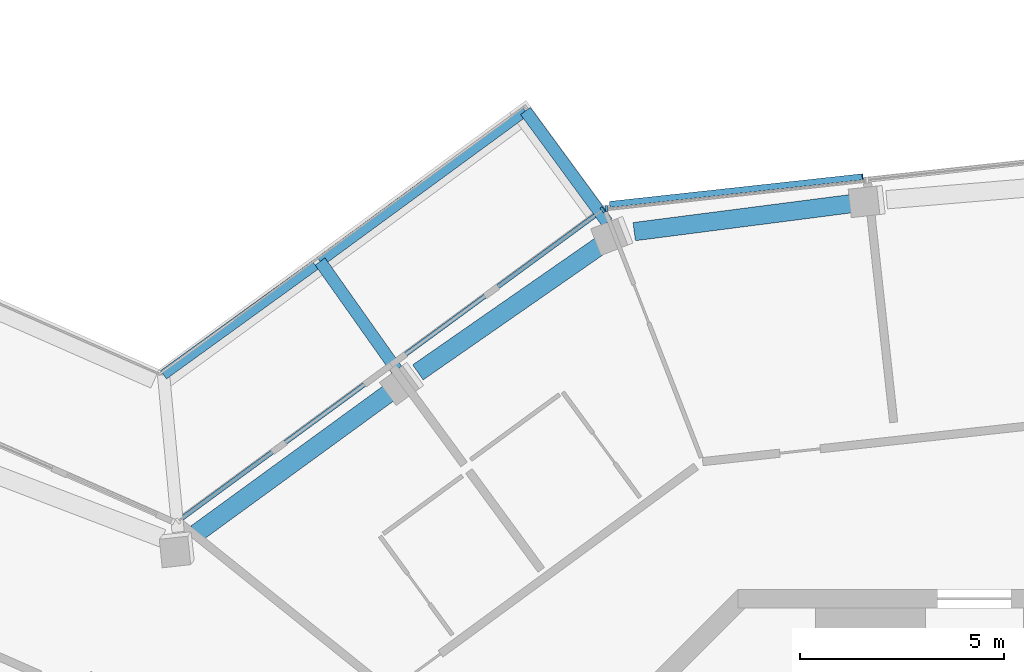
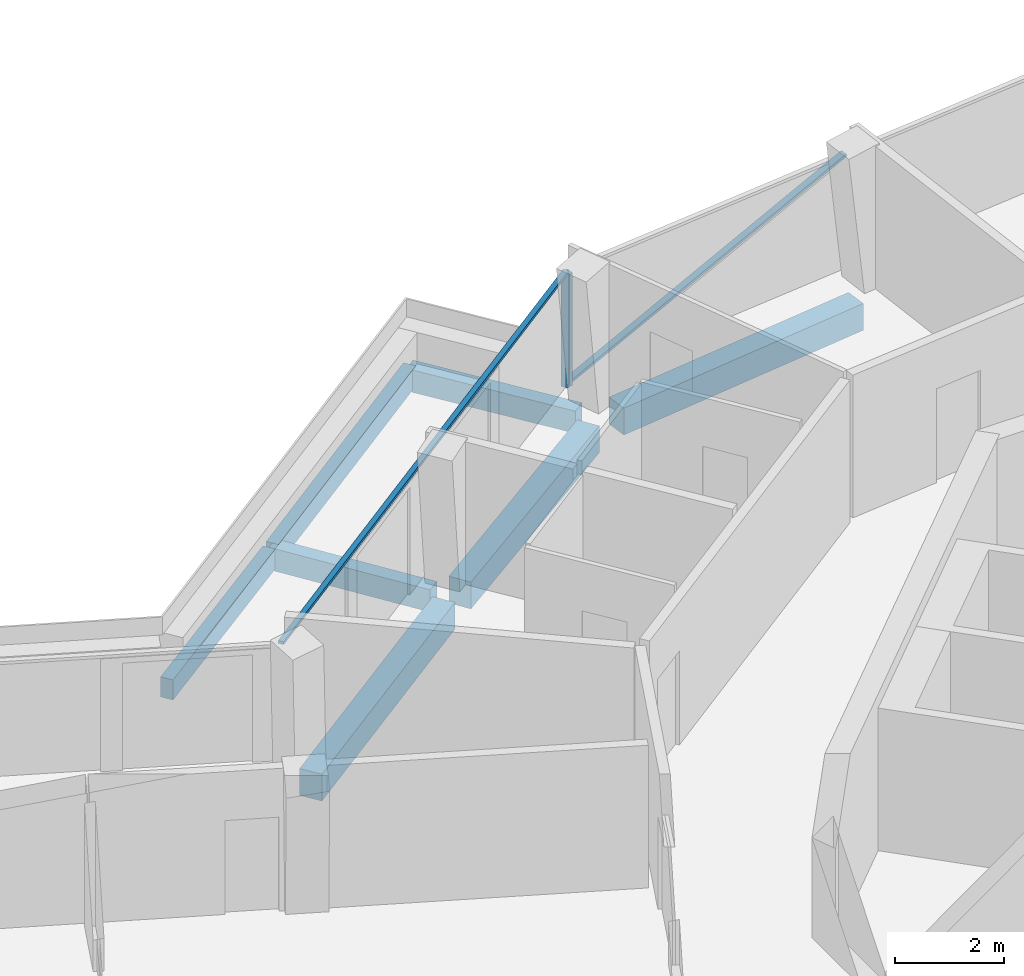
# One storey, part 6 of 24: 7 beams, 4 members, 2 elements without a shape of their own.
"""IFC4 building model written with IfcOpenShell, lengths in metres."""

from ifc_helpers import new_model, si_unit, direction, frame, origin, origin_2d, place, context, subcontext, project, spatial, rectangle, extrude, material, layer, layer_set, material_profile, profile_set, type_object, element, aggregate, save


model = new_model("IFC4")

# Units and contexts
model_context = context("Model", 3, precision=1e-05, world=origin(), true_north=direction((0.0, 1.0)))
body_context = subcontext(model_context, "Body", "Model", "MODEL_VIEW")
ifc_project = project(units=[si_unit("LENGTHUNIT", "METRE"), si_unit("AREAUNIT", "SQUARE_METRE"), si_unit("VOLUMEUNIT", "CUBIC_METRE"), si_unit("PLANEANGLEUNIT", "RADIAN"), si_unit("MASSUNIT", "GRAM", prefix="KILO")], contexts=[model_context])

# Site, building, storey
site_placement = place(None, origin())
site = spatial("IfcSite", under=ifc_project, at=site_placement, CompositionType="ELEMENT")
building_placement = place(site_placement, origin())
building = spatial("IfcBuilding", under=site, at=building_placement, Name="Verdalira Terraces Hotel", CompositionType="ELEMENT")
storey_placement = place(building_placement, frame((0.0, 0.0, 303.0)))
storey = spatial("IfcBuildingStorey", under=building, at=storey_placement, Name="L75", CompositionType="ELEMENT", Elevation=303.0)

# Beams
ifc_material_1 = material(Name="Concrete C40", Category="concrete")
ifc_material_profile_1 = material_profile(ifc_material_1, rectangle(XDim=0.300049, YDim=0.5, at=origin_2d()), Name="RC 300X500")
ifc_profile_set_1 = profile_set([ifc_material_profile_1], Name="Concrete C40")
beam_type_1 = type_object("IfcBeamType", Name="Balcony cantilever beam RC 300X500 C40", PredefinedType="BEAM", material=ifc_profile_set_1)
beam_1_placement = place(storey_placement, frame((-9.002197, 23.000488, -0.560059), z_axis=(-0.591160444, 0.806553984, 0.0), x_axis=(-0.806553984, -0.591160444, 0.0)))
element("IfcBeam", 1, at=beam_1_placement, inside=storey, type_object=beam_type_1, Name="Balcony cantilever beam R41-2", PredefinedType="BEAM", context=body_context, shape_type="SweptSolid", body=[
    extrude(rectangle(XDim=0.300049, YDim=0.5, at=origin_2d()), origin(), (0.0, 0.0, 1.0), 3.385742),
])
beam_2_placement = place(storey_placement, frame((-14.159668, 19.387695, -0.560059), z_axis=(-0.577588023, 0.816328411, 0.0), x_axis=(-0.816328411, -0.577588023, 0.0)))
element("IfcBeam", 2, at=beam_2_placement, inside=storey, type_object=beam_type_1, Name="Balcony cantilever beam R41-3", PredefinedType="BEAM", context=body_context, shape_type="SweptSolid", body=[
    extrude(rectangle(XDim=0.300049, YDim=0.5, at=origin_2d()), origin(), (0.0, 0.0, 1.0), 3.250977),
])
ifc_material_2 = material(Name="Concrete C40", Category="concrete")
ifc_material_profile_2 = material_profile(ifc_material_2, rectangle(XDim=0.25, YDim=0.449951, at=origin_2d()), Name="RC 250X450")
ifc_profile_set_2 = profile_set([ifc_material_profile_2], Name="Concrete C40")
beam_type_2 = type_object("IfcBeamType", Name="Balcony edge beam RC 250X450 C40", PredefinedType="BEAM", material=ifc_profile_set_2)
beam_3_placement = place(storey_placement, frame((-11.003662, 25.731201, -0.534912), z_axis=(-0.806533071, -0.591188976, 0.0), x_axis=(0.591188976, -0.806533071, 0.0)))
element("IfcBeam", 3, at=beam_3_placement, inside=storey, type_object=beam_type_2, Name="Balcony edge beam R41-1", PredefinedType="BEAM", context=body_context, shape_type="SweptSolid", body=[
    extrude(rectangle(XDim=0.25, YDim=0.449951, at=origin_2d()), origin(), (0.0, 0.0, 1.0), 6.241211),
])
beam_4_placement = place(storey_placement, frame((-16.158691, 21.953613, -0.534912), z_axis=(-0.810099061, -0.586293025, 0.0), x_axis=(0.586293025, -0.810099061, 0.0)))
element("IfcBeam", 4, at=beam_4_placement, inside=storey, type_object=beam_type_2, Name="Balcony edge beam R41-2", PredefinedType="BEAM", context=body_context, shape_type="SweptSolid", body=[
    extrude(rectangle(XDim=0.25, YDim=0.449951, at=origin_2d()), origin(), (0.0, 0.0, 1.0), 4.585938),
])

# Curtain wall, member
ifc_material_3 = material(Name="Clear glass", Category="glass")
ifc_layer = layer(ifc_material_3, 0.14990234375)
ifc_layer_set = layer_set([ifc_layer], Name="CW1 curtain wall")
curtain_wall_type = type_object("IfcCurtainWallType", Name="CW1 curtain wall", PredefinedType="NOTDEFINED", material=ifc_layer_set)
curtain_wall_1_placement = place(storey_placement, origin())
curtain_wall_1 = element("IfcCurtainWall", 5, at=curtain_wall_1_placement, inside=storey, type_object=curtain_wall_type, Name="CW1 curtain wall L75 edge 40", PredefinedType="NOTDEFINED")
ifc_material_4 = material(Name="Terracotta frame", Category="masonry")
ifc_material_profile_3 = material_profile(ifc_material_4, rectangle(XDim=0.060059, YDim=0.149902, at=origin_2d()), Name="MU 60x150")
ifc_profile_set_3 = profile_set([ifc_material_profile_3], Name="Terracotta frame")
member_type_1 = type_object("IfcMemberType", Name="CW1 mullion 60x150", PredefinedType="MULLION", material=ifc_profile_set_3)
member_1_placement = place(storey_placement, frame((-9.020264, 23.341064, 0.0), z_axis=(0.0, 0.0, 1.0), x_axis=(-0.994075324, -0.108693378, 0.0)))
member_1 = element("IfcMember", 6, at=member_1_placement, type_object=member_type_1, Name="CW1 mullion", PredefinedType="MULLION", context=body_context, shape_type="SweptSolid", body=[
    extrude(rectangle(XDim=0.060059, YDim=0.149902, at=origin_2d()), origin(), (0.0, 0.0, 1.0), 2.524902),
])

# Curtain wall, members
curtain_wall_2_placement = place(storey_placement, origin())
curtain_wall_2 = element("IfcCurtainWall", 7, at=curtain_wall_2_placement, inside=storey, type_object=curtain_wall_type, Name="CW1 curtain wall L75 edge 41", PredefinedType="NOTDEFINED")
member_2_placement = place(storey_placement, frame((-9.110596, 23.306152, 0.0), z_axis=(0.0, 0.0, 1.0), x_axis=(-0.806547795, -0.591168888, 0.0)))
member_2 = element("IfcMember", 8, at=member_2_placement, type_object=member_type_1, Name="CW1 mullion", PredefinedType="MULLION", context=body_context, shape_type="SweptSolid", body=[
    extrude(rectangle(XDim=0.060059, YDim=0.149902, at=origin_2d()), origin(), (0.0, 0.0, 1.0), 2.524902),
])
ifc_material_5 = material(Name="Terracotta frame", Category="masonry")
ifc_material_profile_4 = material_profile(ifc_material_5, rectangle(XDim=0.110107, YDim=0.064941, at=origin_2d()), Name="TR 65x110")
ifc_profile_set_4 = profile_set([ifc_material_profile_4], Name="Terracotta frame")
member_type_2 = type_object("IfcMemberType", Name="CW1 transom 65x110", PredefinedType="USERDEFINED", material=ifc_profile_set_4)
member_3_placement = place(storey_placement, frame((-9.086182, 23.32373, 2.557617), z_axis=(-0.806554695, -0.591159474, 0.0), x_axis=(0.591159474, -0.806554695, 0.0)))
member_3 = element("IfcMember", 9, at=member_3_placement, type_object=member_type_2, Name="CW1 transom", ObjectType="TRANSOM", PredefinedType="USERDEFINED", context=body_context, shape_type="SweptSolid", body=[
    extrude(rectangle(XDim=0.110107, YDim=0.064941, at=origin_2d()), origin(), (0.0, 0.0, 1.0), 12.959961),
])
aggregate(curtain_wall_2, [member_2, member_3])

# Member
ifc_material_6 = material(Name="Terracotta frame", Category="masonry")
ifc_material_profile_5 = material_profile(ifc_material_6, rectangle(XDim=0.149902, YDim=0.060059, at=origin_2d()), Name="GB 60x150")
ifc_profile_set_5 = profile_set([ifc_material_profile_5], Name="Terracotta frame")
member_type_3 = type_object("IfcMemberType", Name="Diagonal glazing bar 60x150", PredefinedType="USERDEFINED", material=ifc_profile_set_5)
member_4_placement = place(storey_placement, frame((-2.739746, 24.117432, 2.496338), z_axis=(-0.924120312, -0.101055722, -0.368496119), x_axis=(0.108705399, -0.994074009, 0.0)))
member_4 = element("IfcMember", 10, at=member_4_placement, type_object=member_type_3, Name="Diagonal glazing bar", ObjectType="GLAZING BAR", PredefinedType="USERDEFINED", context=body_context, shape_type="SweptSolid", body=[
    extrude(rectangle(XDim=0.149902, YDim=0.060059, at=origin_2d()), origin(), (0.0, 0.0, 1.0), 6.696777),
])

aggregate(curtain_wall_1, [member_1, member_4])

# Beams
ifc_material_7 = material(Name="Concrete C40", Category="concrete")
ifc_material_profile_6 = material_profile(ifc_material_7, rectangle(XDim=0.449951, YDim=0.600098, at=origin_2d()), Name="RC 450X600")
ifc_profile_set_6 = profile_set([ifc_material_profile_6], Name="Concrete C40")
beam_type_3 = type_object("IfcBeamType", Name="Spandrel beam RC 450X600 C40", PredefinedType="SPANDREL", material=ifc_profile_set_6)
beam_5_placement = place(storey_placement, frame((-2.862305, 23.47876, -0.610107), z_axis=(-0.991795057, -0.127838045, 0.0), x_axis=(0.127838045, -0.991795057, 0.0)))
element("IfcBeam", 11, at=beam_5_placement, inside=storey, type_object=beam_type_3, Name="Spandrel beam B27", PredefinedType="SPANDREL", context=body_context, shape_type="SweptSolid", body=[
    extrude(rectangle(XDim=0.449951, YDim=0.600098, at=origin_2d()), origin(), (0.0, 0.0, 1.0), 5.52124),
])
beam_6_placement = place(storey_placement, frame((-9.104492, 22.47583, -0.610107), z_axis=(-0.82115017, -0.570712186, 0.0), x_axis=(0.570712186, -0.82115017, 0.0)))
element("IfcBeam", 12, at=beam_6_placement, inside=storey, type_object=beam_type_3, Name="Spandrel beam B28", PredefinedType="SPANDREL", context=body_context, shape_type="SweptSolid", body=[
    extrude(rectangle(XDim=0.449951, YDim=0.600098, at=origin_2d()), origin(), (0.0, 0.0, 1.0), 5.523438),
])
beam_7_placement = place(storey_placement, frame((-14.216797, 18.913086, -0.610107), z_axis=(-0.808256377, -0.588830731, 0.0), x_axis=(0.588830731, -0.808256377, 0.0)))
element("IfcBeam", 13, at=beam_7_placement, inside=storey, type_object=beam_type_3, Name="Spandrel beam B29", PredefinedType="SPANDREL", context=body_context, shape_type="SweptSolid", body=[
    extrude(rectangle(XDim=0.449951, YDim=0.600098, at=origin_2d()), origin(), (0.0, 0.0, 1.0), 6.011475),
])

save(model, "model.ifc")
